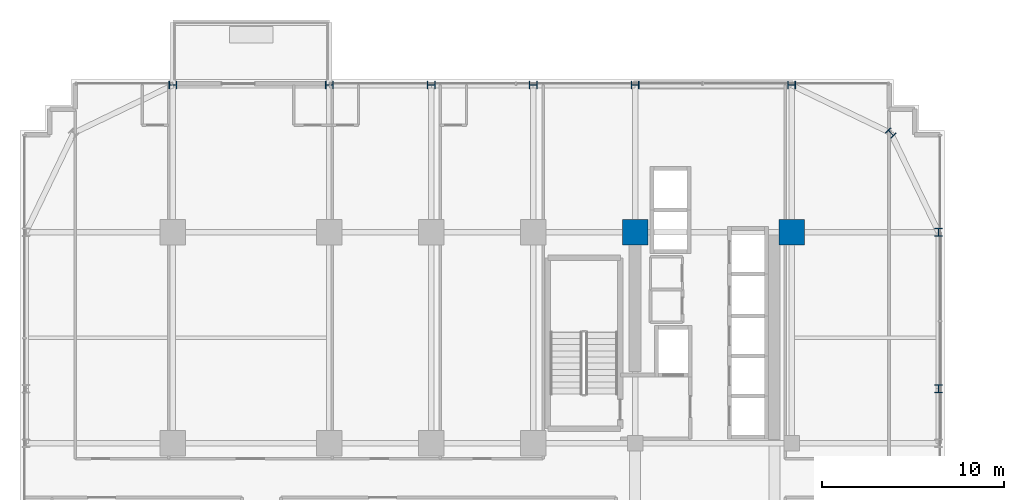
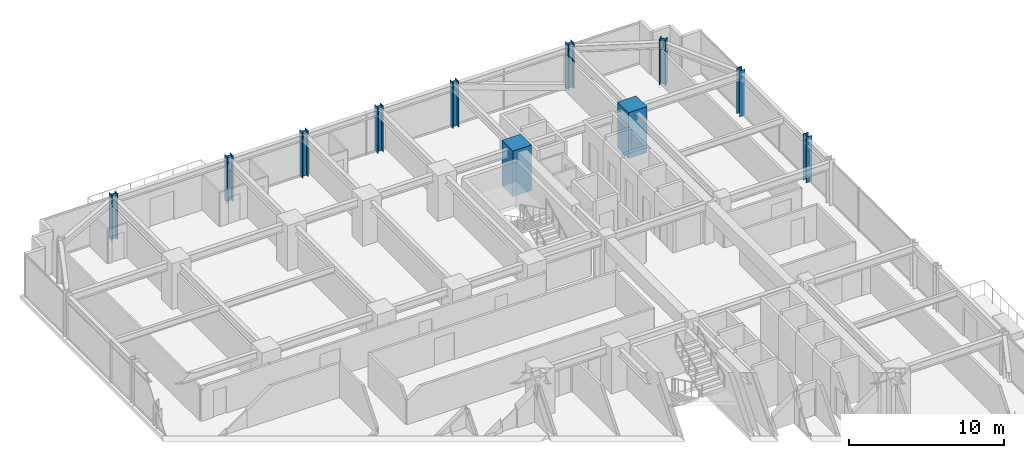
# One storey, part 2 of 35: 11 columns.
"""IFC4 building model written with IfcOpenShell, lengths in metres."""

from ifc_helpers import new_model, si_unit, direction, frame, origin, origin_2d, place, context, subcontext, project, spatial, rectangle, i_section, extrude, source, transform, mapped, material, material_profile, profile_set, type_object, element, save


model = new_model("IFC4")

# Units and contexts
model_context = context("Model", 3, precision=1e-05, world=origin(), true_north=direction((0.0, 1.0)))
body_context = subcontext(model_context, "Body", "Model", "MODEL_VIEW")
ifc_project = project(units=[si_unit("LENGTHUNIT", "METRE"), si_unit("AREAUNIT", "SQUARE_METRE"), si_unit("VOLUMEUNIT", "CUBIC_METRE"), si_unit("PLANEANGLEUNIT", "RADIAN"), si_unit("MASSUNIT", "GRAM", prefix="KILO")], contexts=[model_context])

# Site, building, storey
site_placement = place(None, origin())
site = spatial("IfcSite", under=ifc_project, at=site_placement, CompositionType="ELEMENT")
building_placement = place(site_placement, origin())
building = spatial("IfcBuilding", under=site, at=building_placement, Name="Nahalor Promenade Grand Hotel", CompositionType="ELEMENT")
storey_placement = place(building_placement, frame((0.0, 0.0, 39.699951171875)))
storey = spatial("IfcBuildingStorey", under=building, at=storey_placement, Name="L08", CompositionType="ELEMENT", Elevation=39.699951171875)

# Columns
ifc_material_1 = material(Name="Concrete B-70 (C60/75)", Category="concrete")
ifc_material_profile_1 = material_profile(ifc_material_1, rectangle(XDim=1.4, YDim=1.4, at=origin_2d()), Name="RC 1400x1400")
ifc_profile_set_1 = profile_set([ifc_material_profile_1], Name="Concrete B-70 (C60/75)")
column_type_1 = type_object("IfcColumnType", Name="Col-RC-1400", PredefinedType="COLUMN", material=ifc_profile_set_1)
shared_shape_1 = source(origin(), body_context, "Body", "SweptSolid", [
    extrude(rectangle(XDim=1.4, YDim=1.4, at=origin_2d()), origin(), (0.0, 0.0, 1.0), 3.60498046875),
])
for number, where, z_axis, x_axis, name in (
    (1, (8.39990234375, 17.0, 0.0), (0.0, 0.0, 1.0), (1.0, 0.0, 0.0), "COL-L08-I43"),
    (2, (17.0, 17.0, 0.0), (0.0, 0.0, 1.0), (1.0, 0.0, 0.0), "COL-L08-I53"),
):
    element("IfcColumn", number, at=place(storey_placement, frame(where, z_axis=z_axis, x_axis=x_axis)), inside=storey, type_object=column_type_1, Name=name, PredefinedType="COLUMN", context=body_context, shape_type="MappedRepresentation", body=[
        mapped(shared_shape_1, transform((0.0, 0.0, 0.0), scale=1.0)),
    ])
ifc_material_2 = material(Name="Steel S355J2", Category="steel")
ifc_material_profile_2 = material_profile(ifc_material_2, i_section(OverallWidth=0.412, OverallDepth=0.438, WebThickness=0.0226, FlangeThickness=0.0365, at=origin_2d()), Name="HD 400x463")
ifc_profile_set_2 = profile_set([ifc_material_profile_2], Name="Steel S355J2")
column_type_2 = type_object("IfcColumnType", Name="Col-Steel-HD463", PredefinedType="COLUMN", material=ifc_profile_set_2)
shared_shape_2 = source(origin(), body_context, "Body", "SweptSolid", [
    extrude(i_section(OverallWidth=0.412, OverallDepth=0.438, WebThickness=0.0226, FlangeThickness=0.0365, at=origin_2d()), origin(), (0.0, 0.0, 1.0), 3.60498046875),
])
for number, where, z_axis, x_axis, name in (
    (3, (25.080078125, 8.39990234375, 0.0), (0.0, 0.0, 1.0), (1.0, 0.0, 0.0), "COL-L08-PW-E4"),
    (4, (25.080078125, 17.0, 0.0), (0.0, 0.0, 1.0), (1.0, 0.0, 0.0), "COL-L08-PW-E5"),
    (5, (-17.0, 25.080078125, 0.0), (0.0, 0.0, 1.0), (0.0, 1.0, 0.0), "COL-L08-PN-N0"),
    (6, (-8.39990234375, 25.080078125, 0.0), (0.0, 0.0, 1.0), (0.0, 1.0, 0.0), "COL-L08-PN-N1"),
    (7, (-2.800048828125, 25.080078125, 0.0), (0.0, 0.0, 1.0), (0.0, 1.0, 0.0), "COL-L08-PN-N2"),
    (8, (2.800048828125, 25.080078125, 0.0), (0.0, 0.0, 1.0), (0.0, 1.0, 0.0), "COL-L08-PN-N3"),
    (9, (8.39990234375, 25.080078125, 0.0), (0.0, 0.0, 1.0), (0.0, 1.0, 0.0), "COL-L08-PN-N4"),
    (10, (17.0, 25.080078125, 0.0), (0.0, 0.0, 1.0), (0.0, 1.0, 0.0), "COL-L08-PN-N5"),
    (11, (22.449951171875, 22.449951171875, 0.0), (0.0, 0.0, 1.0), (0.707106781187, 0.707106781187, 0.0), "COL-L08-CRN-NE"),
):
    element("IfcColumn", number, at=place(storey_placement, frame(where, z_axis=z_axis, x_axis=x_axis)), inside=storey, type_object=column_type_2, Name=name, PredefinedType="COLUMN", context=body_context, shape_type="MappedRepresentation", body=[
        mapped(shared_shape_2, transform((0.0, 0.0, 0.0), scale=1.0)),
    ])

save(model, "model.ifc")
